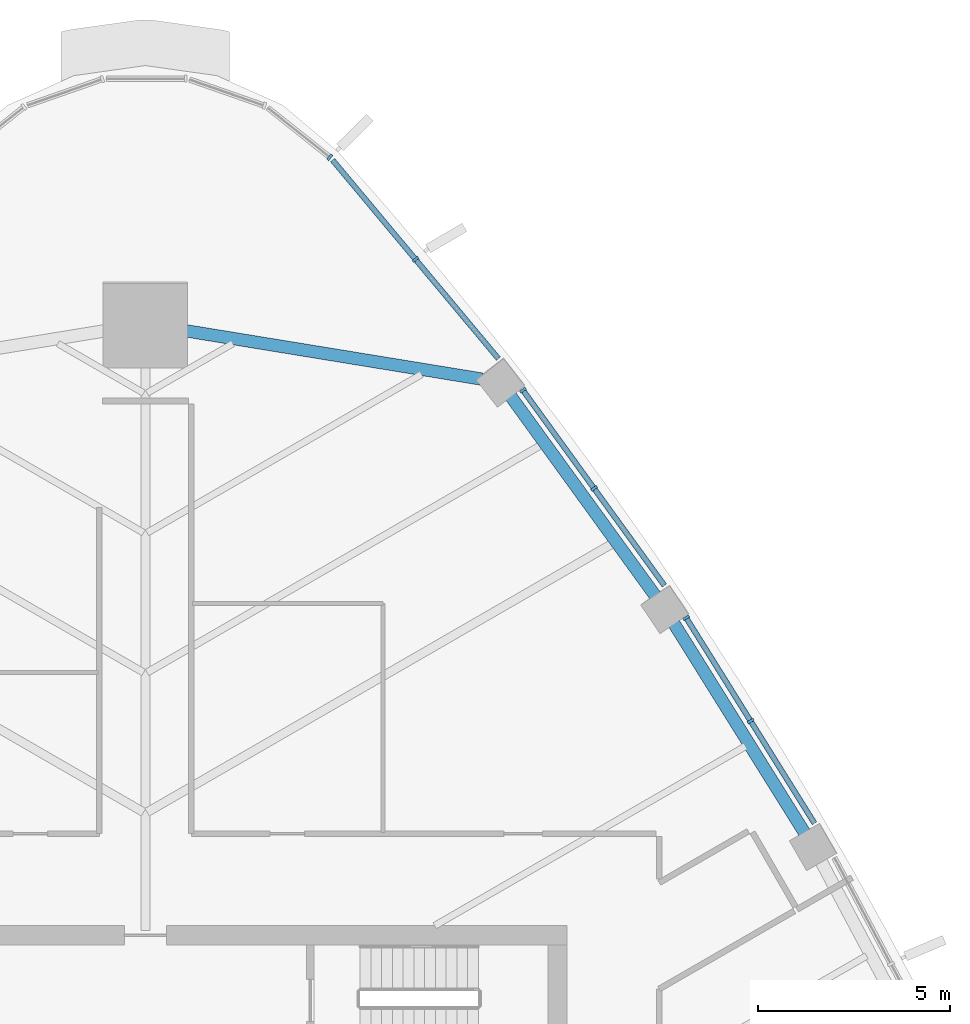
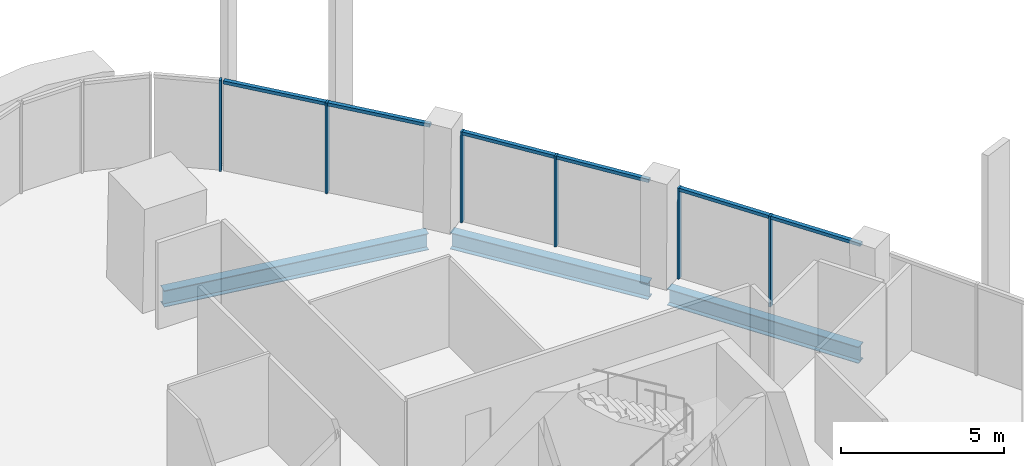
# One storey, part 6 of 19: 12 members, 3 beams, 4 elements without a shape of their own.
"""IFC4 building model written with IfcOpenShell, lengths in metres."""

from ifc_helpers import new_model, si_unit, direction, frame, origin, origin_2d, place, context, subcontext, project, spatial, rectangle, i_section, extrude, material, layer, layer_set, material_profile, profile_set, type_object, element, aggregate, save


model = new_model("IFC4")

# Units and contexts
model_context = context("Model", 3, precision=1e-05, world=origin(), true_north=direction((0.0, 1.0)))
body_context = subcontext(model_context, "Body", "Model", "MODEL_VIEW")
ifc_project = project(units=[si_unit("LENGTHUNIT", "METRE"), si_unit("AREAUNIT", "SQUARE_METRE"), si_unit("VOLUMEUNIT", "CUBIC_METRE"), si_unit("PLANEANGLEUNIT", "RADIAN"), si_unit("MASSUNIT", "GRAM", prefix="KILO")], contexts=[model_context])

# Site, building, storey
site_placement = place(None, origin())
site = spatial("IfcSite", under=ifc_project, at=site_placement, CompositionType="ELEMENT")
building_placement = place(site_placement, origin())
building = spatial("IfcBuilding", under=site, at=building_placement, Name="Sierra Prisma Convention Tower", CompositionType="ELEMENT")
storey_placement = place(building_placement, frame((0.0, 0.0, 295.0)))
storey = spatial("IfcBuildingStorey", under=building, at=storey_placement, Name="L67", CompositionType="ELEMENT", Elevation=295.0)

# Curtain wall, members
ifc_material_1 = material(Name="Aluminium and glass curtain wall", Category="aluminium")
ifc_layer = layer(ifc_material_1, 0.179931640625)
ifc_layer_set = layer_set([ifc_layer], Name="CW-1 Plain shaft curtain wall")
curtain_wall_type = type_object("IfcCurtainWallType", Name="CW-1 Plain shaft curtain wall", PredefinedType="NOTDEFINED", material=ifc_layer_set)
curtain_wall_1_placement = place(storey_placement, origin())
curtain_wall_1 = element("IfcCurtainWall", 1, at=curtain_wall_1_placement, inside=storey, type_object=curtain_wall_type, Name="CW-1 NE4 L67", PredefinedType="NOTDEFINED")
ifc_material_2 = material(Name="Aluminium 6063-T6 bronze anodised", Category="aluminium")
ifc_material_profile_1 = material_profile(ifc_material_2, rectangle(XDim=0.179931640625, YDim=0.070068359375, at=origin_2d()), Name="ALU MULLION 70x180")
ifc_profile_set_1 = profile_set([ifc_material_profile_1], Name="Aluminium 6063-T6 bronze anodised")
member_type_1 = type_object("IfcMemberType", Name="CW mullion bronze", PredefinedType="MULLION", material=ifc_profile_set_1)
member_1_placement = place(storey_placement, frame((15.7822265625, 13.33544921875, 0.0), z_axis=(0.0, 0.0, 1.0), x_axis=(-0.848297852326, -0.529519361061, 0.0)))
member_1 = element("IfcMember", 2, at=member_1_placement, type_object=member_type_1, Name="CW-1 mullion NE4.2", PredefinedType="MULLION", context=body_context, shape_type="SweptSolid", body=[
    extrude(rectangle(XDim=0.179931640625, YDim=0.070068359375, at=origin_2d()), origin(), (0.0, 0.0, 1.0), 3.39990234375),
])
member_2_placement = place(storey_placement, frame((14.100830078125, 16.02880859375, 0.0), z_axis=(0.0, 0.0, 1.0), x_axis=(-0.848297852326, -0.529519361061, 0.0)))
member_2 = element("IfcMember", 3, at=member_2_placement, type_object=member_type_1, Name="CW-1 mullion NE4.3", PredefinedType="MULLION", context=body_context, shape_type="SweptSolid", body=[
    extrude(rectangle(XDim=0.179931640625, YDim=0.070068359375, at=origin_2d()), origin(), (0.0, 0.0, 1.0), 3.39990234375),
])

curtain_wall_2_placement = place(storey_placement, origin())
curtain_wall_2 = element("IfcCurtainWall", 4, at=curtain_wall_2_placement, inside=storey, type_object=curtain_wall_type, Name="CW-1 NE5 L67", PredefinedType="NOTDEFINED")
member_3_placement = place(storey_placement, frame((11.69970703125, 19.40185546875, 0.0), z_axis=(0.0, 0.0, 1.0), x_axis=(-0.809847585439, -0.586640339867, 0.0)))
member_3 = element("IfcMember", 5, at=member_3_placement, type_object=member_type_1, Name="CW-1 mullion NE5.2", PredefinedType="MULLION", context=body_context, shape_type="SweptSolid", body=[
    extrude(rectangle(XDim=0.179931640625, YDim=0.070068359375, at=origin_2d()), origin(), (0.0, 0.0, 1.0), 3.39990234375),
])
member_4_placement = place(storey_placement, frame((9.845947265625, 21.9609375, 0.0), z_axis=(0.0, 0.0, 1.0), x_axis=(-0.809847585439, -0.586640339867, 0.0)))
member_4 = element("IfcMember", 6, at=member_4_placement, type_object=member_type_1, Name="CW-1 mullion NE5.3", PredefinedType="MULLION", context=body_context, shape_type="SweptSolid", body=[
    extrude(rectangle(XDim=0.179931640625, YDim=0.070068359375, at=origin_2d()), origin(), (0.0, 0.0, 1.0), 3.39990234375),
])

# Curtain wall, member
curtain_wall_3_placement = place(storey_placement, origin())
curtain_wall_3 = element("IfcCurtainWall", 7, at=curtain_wall_3_placement, inside=storey, type_object=curtain_wall_type, Name="CW-1 NE6 L67", PredefinedType="NOTDEFINED")
member_5_placement = place(storey_placement, frame((7.04296875, 25.3740234375, 0.0), z_axis=(0.0, 0.0, 1.0), x_axis=(-0.767557645485, -0.640979922352, 0.0)))
member_5 = element("IfcMember", 8, at=member_5_placement, type_object=member_type_1, Name="CW-1 mullion NE6.2", PredefinedType="MULLION", context=body_context, shape_type="SweptSolid", body=[
    extrude(rectangle(XDim=0.179931640625, YDim=0.070068359375, at=origin_2d()), origin(), (0.0, 0.0, 1.0), 3.39990234375),
])

curtain_wall_4_placement = place(storey_placement, origin())
curtain_wall_4 = element("IfcCurtainWall", 9, at=curtain_wall_4_placement, inside=storey, type_object=curtain_wall_type, Name="CW-1 N1 L67", PredefinedType="NOTDEFINED")
member_6_placement = place(storey_placement, frame((4.81005859375, 28.036865234375, 0.0), z_axis=(0.0, 0.0, 1.0), x_axis=(-0.622919797027, -0.782285706421, 0.0)))
member_6 = element("IfcMember", 10, at=member_6_placement, type_object=member_type_1, Name="CW-1 mullion N1.1", PredefinedType="MULLION", context=body_context, shape_type="SweptSolid", body=[
    extrude(rectangle(XDim=0.179931640625, YDim=0.070068359375, at=origin_2d()), origin(), (0.0, 0.0, 1.0), 3.39990234375),
])
aggregate(curtain_wall_4, [member_6])

# Member
ifc_material_3 = material(Name="Aluminium 6063-T6 bronze anodised", Category="aluminium")
ifc_material_profile_2 = material_profile(ifc_material_3, rectangle(XDim=0.139892578125, YDim=0.1201171875, at=origin_2d()), Name="ALU TRANSOM 120x140")
ifc_profile_set_2 = profile_set([ifc_material_profile_2], Name="Aluminium 6063-T6 bronze anodised")
member_type_2 = type_object("IfcMemberType", Name="CW transom bronze", PredefinedType="USERDEFINED", material=ifc_profile_set_2)
member_7_placement = place(storey_placement, frame((17.44482421875, 10.671875, 3.340087890625), z_axis=(-0.529574800418, 0.848263243788, 0.0), x_axis=(-0.848263243788, -0.529574800418, 0.0)))
member_7 = element("IfcMember", 11, at=member_7_placement, type_object=member_type_2, Name="CW-1 transom NE4.1", ObjectType="TRANSOM", PredefinedType="USERDEFINED", context=body_context, shape_type="SweptSolid", body=[
    extrude(rectangle(XDim=0.139892578125, YDim=0.1201171875, at=origin_2d()), origin(), (0.0, 0.0, 1.0), 3.10498046875),
])

member_8_placement = place(storey_placement, frame((15.763671875, 13.365234375, 3.340087890625), z_axis=(-0.529574800418, 0.848263243788, 0.0), x_axis=(-0.848263243788, -0.529574800418, 0.0)))
member_8 = element("IfcMember", 12, at=member_8_placement, type_object=member_type_2, Name="CW-1 transom NE4.2", ObjectType="TRANSOM", PredefinedType="USERDEFINED", context=body_context, shape_type="SweptSolid", body=[
    extrude(rectangle(XDim=0.139892578125, YDim=0.1201171875, at=origin_2d()), origin(), (0.0, 0.0, 1.0), 3.10498046875),
])

aggregate(curtain_wall_1, [member_1, member_2, member_7, member_8])

member_9_placement = place(storey_placement, frame((13.53271484375, 16.871337890625, 3.340087890625), z_axis=(-0.586629565457, 0.809855390136, 0.0), x_axis=(-0.809855390136, -0.586629565457, 0.0)))
member_9 = element("IfcMember", 13, at=member_9_placement, type_object=member_type_2, Name="CW-1 transom NE5.1", ObjectType="TRANSOM", PredefinedType="USERDEFINED", context=body_context, shape_type="SweptSolid", body=[
    extrude(rectangle(XDim=0.139892578125, YDim=0.1201171875, at=origin_2d()), origin(), (0.0, 0.0, 1.0), 3.089599609375),
])

member_10_placement = place(storey_placement, frame((11.67919921875, 19.43017578125, 3.340087890625), z_axis=(-0.586643848712, 0.809845043677, 0.0), x_axis=(-0.809845043677, -0.586643848712, 0.0)))
member_10 = element("IfcMember", 14, at=member_10_placement, type_object=member_type_2, Name="CW-1 transom NE5.2", ObjectType="TRANSOM", PredefinedType="USERDEFINED", context=body_context, shape_type="SweptSolid", body=[
    extrude(rectangle(XDim=0.139892578125, YDim=0.1201171875, at=origin_2d()), origin(), (0.0, 0.0, 1.0), 3.090087890625),
])

aggregate(curtain_wall_2, [member_3, member_4, member_9, member_10])

member_11_placement = place(storey_placement, frame((9.20361328125, 22.786865234375, 3.340087890625), z_axis=(-0.640997528968, 0.767542942028, 0.0), x_axis=(-0.767542942028, -0.640997528968, 0.0)))
member_11 = element("IfcMember", 15, at=member_11_placement, type_object=member_type_2, Name="CW-1 transom NE6.1", ObjectType="TRANSOM", PredefinedType="USERDEFINED", context=body_context, shape_type="SweptSolid", body=[
    extrude(rectangle(XDim=0.139892578125, YDim=0.1201171875, at=origin_2d()), origin(), (0.0, 0.0, 1.0), 3.335693359375),
])

member_12_placement = place(storey_placement, frame((7.0205078125, 25.40087890625, 3.340087890625), z_axis=(-0.640961521336, 0.76757301162, 0.0), x_axis=(-0.76757301162, -0.640961521336, 0.0)))
member_12 = element("IfcMember", 16, at=member_12_placement, type_object=member_type_2, Name="CW-1 transom NE6.2", ObjectType="TRANSOM", PredefinedType="USERDEFINED", context=body_context, shape_type="SweptSolid", body=[
    extrude(rectangle(XDim=0.139892578125, YDim=0.1201171875, at=origin_2d()), origin(), (0.0, 0.0, 1.0), 3.3359375),
])

aggregate(curtain_wall_3, [member_5, member_11, member_12])

# Beams
ifc_material_4 = material(Name="Steel ASTM A992 Gr 50", Category="steel")
ifc_material_profile_3 = material_profile(ifc_material_4, i_section(OverallWidth=0.324951171875, OverallDepth=0.615966796875, WebThickness=0.013916015625, FlangeThickness=0.021484375, at=origin_2d()), Name="W610x174")
ifc_profile_set_3 = profile_set([ifc_material_profile_3], Name="Steel ASTM A992 Gr 50")
beam_type = type_object("IfcBeamType", Name="Spandrel beam W610x174", PredefinedType="BEAM", material=ifc_profile_set_3)
for number, where, z_axis, x_axis, name in (
    (17, (17.2421875, 10.3359375, -0.4580078125), (-0.529523441838, 0.848295305035, 0.0), (-0.848295305035, -0.529523441838, 0.0), "Spandrel L67-10"),
    (18, (13.353759765625, 16.522216796875, -0.4580078125), (-0.586641909845, 0.80984644817, 0.0), (-0.80984644817, -0.586641909845, 0.0), "Spandrel L67-11"),
):
    element("IfcBeam", number, at=place(storey_placement, frame(where, z_axis=z_axis, x_axis=x_axis)), inside=storey, type_object=beam_type, Name=name, PredefinedType="BEAM", context=body_context, shape_type="SweptSolid", body=[
        extrude(i_section(OverallWidth=0.324951171875, OverallDepth=0.615966796875, WebThickness=0.013916015625, FlangeThickness=0.021484375, at=origin_2d()), origin(), (0.0, 0.0, 1.0), 6.64697265625),
    ])
beam_placement = place(storey_placement, frame((8.7734375, 22.252197265625, -0.4580078125), z_axis=(-0.986941838849, 0.161077021109, 0.0), x_axis=(-0.161077021109, -0.986941838849, 0.0)))
element("IfcBeam", 19, at=beam_placement, inside=storey, type_object=beam_type, Name="Spandrel L67-12", PredefinedType="BEAM", context=body_context, shape_type="SweptSolid", body=[
    extrude(i_section(OverallWidth=0.324951171875, OverallDepth=0.615966796875, WebThickness=0.013916015625, FlangeThickness=0.021484375, at=origin_2d()), origin(), (0.0, 0.0, 1.0), 8.666748046875),
])

save(model, "model.ifc")
